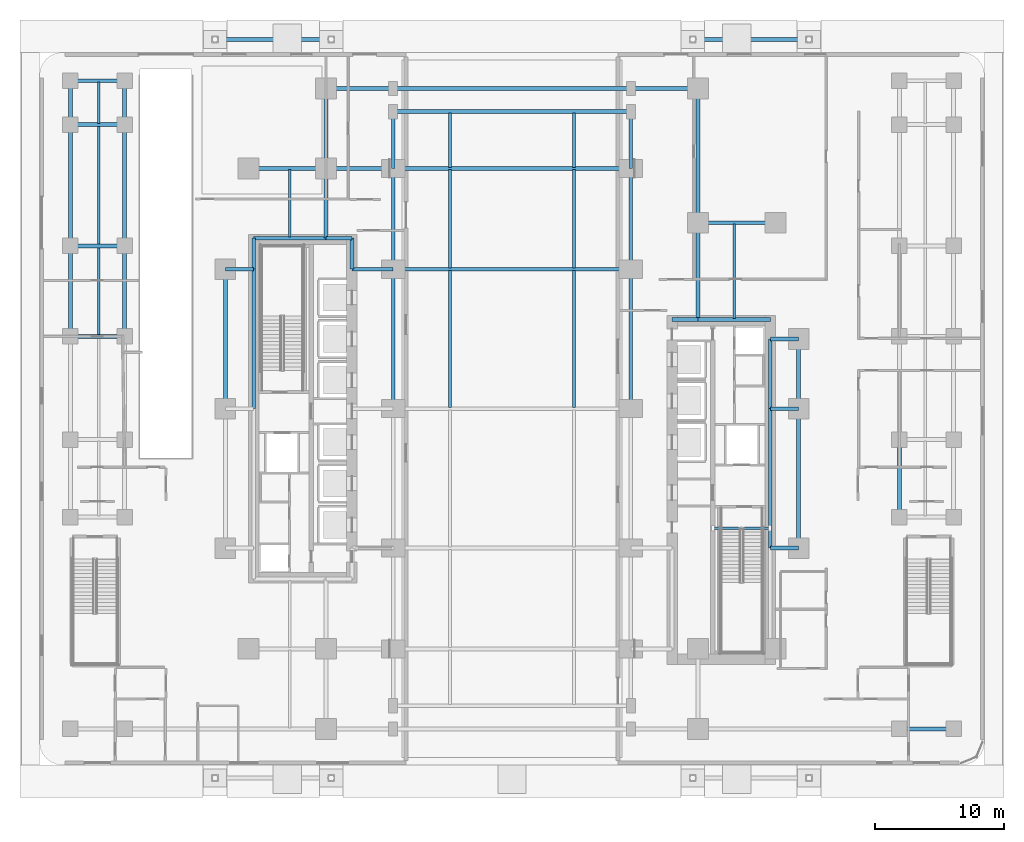
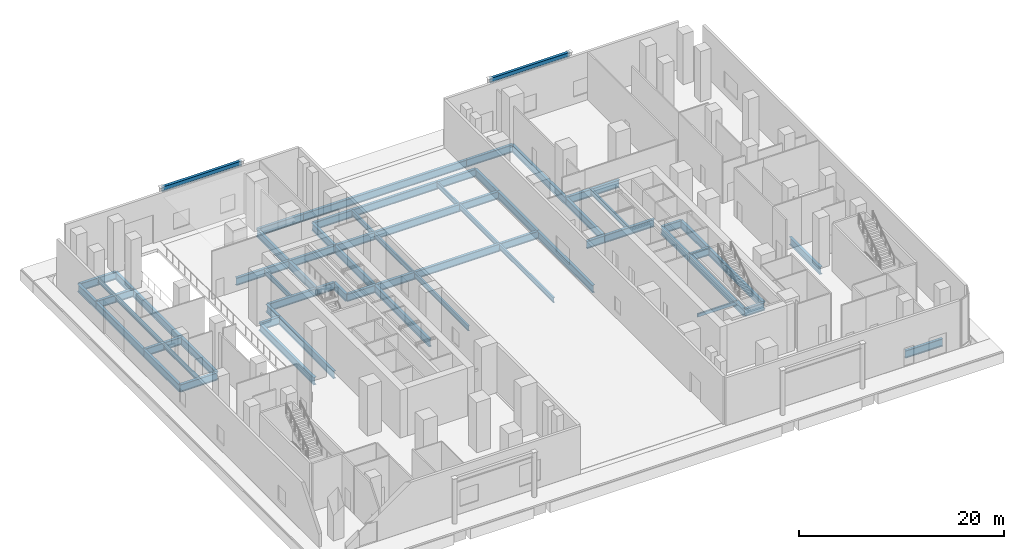
# One storey, part 5 of 22: 62 beams.
"""IFC4 building model written with IfcOpenShell, lengths in metres."""

from ifc_helpers import new_model, si_unit, direction, frame, origin, origin_2d, place, context, subcontext, project, spatial, hollow_rectangle, i_section, extrude, material, material_profile, profile_set, type_object, element, save


model = new_model("IFC4")

# Units and contexts
model_context = context("Model", 3, precision=1e-05, world=origin(), true_north=direction((0.0, 1.0)))
body_context = subcontext(model_context, "Body", "Model", "MODEL_VIEW")
ifc_project = project(units=[si_unit("LENGTHUNIT", "METRE"), si_unit("AREAUNIT", "SQUARE_METRE"), si_unit("VOLUMEUNIT", "CUBIC_METRE"), si_unit("PLANEANGLEUNIT", "RADIAN"), si_unit("MASSUNIT", "GRAM", prefix="KILO")], contexts=[model_context])

# Site, building, storey
site_placement = place(None, origin())
site = spatial("IfcSite", under=ifc_project, at=site_placement, CompositionType="ELEMENT")
building_placement = place(site_placement, origin())
building = spatial("IfcBuilding", under=site, at=building_placement, Name="Khairoan Windgate Tower", CompositionType="ELEMENT")
storey_placement = place(building_placement, origin())
storey = spatial("IfcBuildingStorey", under=building, at=storey_placement, Name="L01", CompositionType="ELEMENT", Elevation=0.0)

# Beams
ifc_material_1 = material(Name="Steel S355", Category="steel")
ifc_material_profile_1 = material_profile(ifc_material_1, i_section(OverallWidth=0.300048828125, OverallDepth=0.89990234375, WebThickness=0.01611328125, FlangeThickness=0.028076171875, FilletRadius=0.028076171875, at=origin_2d()))
ifc_profile_set_1 = profile_set([ifc_material_profile_1], Name="Steel S355")
beam_type_1 = type_object("IfcBeamType", Name="Beam B-G1 H900x300x16x28", PredefinedType="BEAM", material=ifc_profile_set_1)
beam_1_placement = place(storey_placement, frame((30.0, -24.800048828125, -0.75), z_axis=(1.0, 0.0, 0.0), x_axis=(0.0, 1.0, 0.0)))
element("IfcBeam", 1, at=beam_1_placement, inside=storey, type_object=beam_type_1, Name="L01 E-W Primary Girder 07", PredefinedType="BEAM", context=body_context, shape_type="SweptSolid", body=[
    extrude(i_section(OverallWidth=0.300048828125, OverallDepth=0.89990234375, WebThickness=0.01611328125, FlangeThickness=0.028076171875, FilletRadius=0.028076171875, at=origin_2d()), origin(), (0.0, 0.0, 1.0), 4.199951171875),
])
for number, where, z_axis, x_axis, name in (
    (2, (20.0, -10.800048828125, -0.75), (1.0, 0.0, 0.0), (0.0, 1.0, 0.0), "L01 E-W Primary Girder 19"),
    (3, (20.0, 0.0, -0.75), (1.0, 0.0, 0.0), (0.0, 1.0, 0.0), "L01 E-W Primary Girder 27"),
    (4, (20.0, 5.39990234375, -0.75), (1.0, 0.0, 0.0), (0.0, 1.0, 0.0), "L01 E-W Primary Girder 28"),
):
    element("IfcBeam", number, at=place(storey_placement, frame(where, z_axis=z_axis, x_axis=x_axis)), inside=storey, type_object=beam_type_1, Name=name, PredefinedType="BEAM", context=body_context, shape_type="SweptSolid", body=[
        extrude(i_section(OverallWidth=0.300048828125, OverallDepth=0.89990234375, WebThickness=0.01611328125, FlangeThickness=0.028076171875, FilletRadius=0.028076171875, at=origin_2d()), origin(), (0.0, 0.0, 1.0), 2.199951171875),
    ])
beam_2_placement = place(storey_placement, frame((-34.199951171875, 5.60009765625, -0.75), z_axis=(1.0, 0.0, 0.0), x_axis=(0.0, 1.0, 0.0)))
element("IfcBeam", 5, at=beam_2_placement, inside=storey, type_object=beam_type_1, Name="L01 E-W Primary Girder 29", PredefinedType="BEAM", context=body_context, shape_type="SweptSolid", body=[
    extrude(i_section(OverallWidth=0.300048828125, OverallDepth=0.89990234375, WebThickness=0.01611328125, FlangeThickness=0.028076171875, FilletRadius=0.028076171875, at=origin_2d()), origin(), (0.0, 0.0, 1.0), 4.199951171875),
])
beam_3_placement = place(storey_placement, frame((12.39990234375, 6.89990234375, -0.75), z_axis=(1.0, 0.0, 0.0), x_axis=(0.0, 1.0, 0.0)))
element("IfcBeam", 6, at=beam_3_placement, inside=storey, type_object=beam_type_1, Name="L01 E-W Primary Girder 31", PredefinedType="BEAM", context=body_context, shape_type="SweptSolid", body=[
    extrude(i_section(OverallWidth=0.300048828125, OverallDepth=0.89990234375, WebThickness=0.01611328125, FlangeThickness=0.028076171875, FilletRadius=0.028076171875, at=origin_2d()), origin(), (0.0, 0.0, 1.0), 2.0),
])
beam_4_placement = place(storey_placement, frame((14.39990234375, 6.89990234375, -0.75), z_axis=(1.0, 0.0, 0.0), x_axis=(0.0, 1.0, 0.0)))
element("IfcBeam", 7, at=beam_4_placement, inside=storey, type_object=beam_type_1, Name="L01 E-W Primary Girder 32", PredefinedType="BEAM", context=body_context, shape_type="SweptSolid", body=[
    extrude(i_section(OverallWidth=0.300048828125, OverallDepth=0.89990234375, WebThickness=0.01611328125, FlangeThickness=0.028076171875, FilletRadius=0.028076171875, at=origin_2d()), origin(), (0.0, 0.0, 1.0), 5.60009765625),
])
beam_5_placement = place(storey_placement, frame((-22.199951171875, 10.800048828125, -0.75), z_axis=(1.0, 0.0, 0.0), x_axis=(0.0, 1.0, 0.0)))
element("IfcBeam", 8, at=beam_5_placement, inside=storey, type_object=beam_type_1, Name="L01 E-W Primary Girder 33", PredefinedType="BEAM", context=body_context, shape_type="SweptSolid", body=[
    extrude(i_section(OverallWidth=0.300048828125, OverallDepth=0.89990234375, WebThickness=0.01611328125, FlangeThickness=0.028076171875, FilletRadius=0.028076171875, at=origin_2d()), origin(), (0.0, 0.0, 1.0), 2.199951171875),
])
beam_6_placement = place(storey_placement, frame((-12.39990234375, 10.800048828125, -0.75), z_axis=(1.0, 0.0, 0.0), x_axis=(0.0, 1.0, 0.0)))
element("IfcBeam", 9, at=beam_6_placement, inside=storey, type_object=beam_type_1, Name="L01 E-W Primary Girder 34", PredefinedType="BEAM", context=body_context, shape_type="SweptSolid", body=[
    extrude(i_section(OverallWidth=0.300048828125, OverallDepth=0.89990234375, WebThickness=0.01611328125, FlangeThickness=0.028076171875, FilletRadius=0.028076171875, at=origin_2d()), origin(), (0.0, 0.0, 1.0), 3.199951171875),
])
beam_7_placement = place(storey_placement, frame((-9.199951171875, 10.800048828125, -0.75), z_axis=(1.0, 0.0, 0.0), x_axis=(0.0, 1.0, 0.0)))
element("IfcBeam", 10, at=beam_7_placement, inside=storey, type_object=beam_type_1, Name="L01 E-W Primary Girder 35", PredefinedType="BEAM", context=body_context, shape_type="SweptSolid", body=[
    extrude(i_section(OverallWidth=0.300048828125, OverallDepth=0.89990234375, WebThickness=0.01611328125, FlangeThickness=0.028076171875, FilletRadius=0.028076171875, at=origin_2d()), origin(), (0.0, 0.0, 1.0), 18.39990234375),
])
beam_8_placement = place(storey_placement, frame((-34.199951171875, 12.60009765625, -0.75), z_axis=(1.0, 0.0, 0.0), x_axis=(0.0, 1.0, 0.0)))
element("IfcBeam", 11, at=beam_8_placement, inside=storey, type_object=beam_type_1, Name="L01 E-W Primary Girder 36", PredefinedType="BEAM", context=body_context, shape_type="SweptSolid", body=[
    extrude(i_section(OverallWidth=0.300048828125, OverallDepth=0.89990234375, WebThickness=0.01611328125, FlangeThickness=0.028076171875, FilletRadius=0.028076171875, at=origin_2d()), origin(), (0.0, 0.0, 1.0), 4.199951171875),
])
beam_9_placement = place(storey_placement, frame((-20.0, 13.199951171875, -0.75), z_axis=(1.0, 0.0, 0.0), x_axis=(0.0, 1.0, 0.0)))
element("IfcBeam", 12, at=beam_9_placement, inside=storey, type_object=beam_type_1, Name="L01 E-W Primary Girder 38", PredefinedType="BEAM", context=body_context, shape_type="SweptSolid", body=[
    extrude(i_section(OverallWidth=0.300048828125, OverallDepth=0.89990234375, WebThickness=0.01611328125, FlangeThickness=0.028076171875, FilletRadius=0.028076171875, at=origin_2d()), origin(), (0.0, 0.0, 1.0), 5.60009765625),
])
beam_10_placement = place(storey_placement, frame((-14.39990234375, 13.199951171875, -0.75), z_axis=(1.0, 0.0, 0.0), x_axis=(0.0, 1.0, 0.0)))
element("IfcBeam", 13, at=beam_10_placement, inside=storey, type_object=beam_type_1, Name="L01 E-W Primary Girder 39", PredefinedType="BEAM", context=body_context, shape_type="SweptSolid", body=[
    extrude(i_section(OverallWidth=0.300048828125, OverallDepth=0.89990234375, WebThickness=0.01611328125, FlangeThickness=0.028076171875, FilletRadius=0.028076171875, at=origin_2d()), origin(), (0.0, 0.0, 1.0), 2.0),
])
for number, where, z_axis, x_axis, name in (
    (14, (14.39990234375, 14.39990234375, -0.75), (1.0, 0.0, 0.0), (0.0, 1.0, 0.0), "L01 E-W Primary Girder 40"),
    (15, (-20.39990234375, 18.60009765625, -0.75), (1.0, 0.0, 0.0), (0.0, 1.0, 0.0), "L01 E-W Primary Girder 41"),
):
    element("IfcBeam", number, at=place(storey_placement, frame(where, z_axis=z_axis, x_axis=x_axis)), inside=storey, type_object=beam_type_1, Name=name, PredefinedType="BEAM", context=body_context, shape_type="SweptSolid", body=[
        extrude(i_section(OverallWidth=0.300048828125, OverallDepth=0.89990234375, WebThickness=0.01611328125, FlangeThickness=0.028076171875, FilletRadius=0.028076171875, at=origin_2d()), origin(), (0.0, 0.0, 1.0), 6.0),
    ])
beam_11_placement = place(storey_placement, frame((-14.39990234375, 18.60009765625, -0.75), z_axis=(1.0, 0.0, 0.0), x_axis=(0.0, 1.0, 0.0)))
element("IfcBeam", 16, at=beam_11_placement, inside=storey, type_object=beam_type_1, Name="L01 E-W Primary Girder 42", PredefinedType="BEAM", context=body_context, shape_type="SweptSolid", body=[
    extrude(i_section(OverallWidth=0.300048828125, OverallDepth=0.89990234375, WebThickness=0.01611328125, FlangeThickness=0.028076171875, FilletRadius=0.028076171875, at=origin_2d()), origin(), (0.0, 0.0, 1.0), 5.199951171875),
])
beam_12_placement = place(storey_placement, frame((-9.199951171875, 18.60009765625, -0.75), z_axis=(1.0, 0.0, 0.0), x_axis=(0.0, 1.0, 0.0)))
element("IfcBeam", 17, at=beam_12_placement, inside=storey, type_object=beam_type_1, Name="L01 E-W Primary Girder 43", PredefinedType="BEAM", context=body_context, shape_type="SweptSolid", body=[
    extrude(i_section(OverallWidth=0.300048828125, OverallDepth=0.89990234375, WebThickness=0.01611328125, FlangeThickness=0.028076171875, FilletRadius=0.028076171875, at=origin_2d()), origin(), (0.0, 0.0, 1.0), 18.39990234375),
])
beam_13_placement = place(storey_placement, frame((-34.199951171875, 22.0, -0.75), z_axis=(1.0, 0.0, 0.0), x_axis=(0.0, 1.0, 0.0)))
element("IfcBeam", 18, at=beam_13_placement, inside=storey, type_object=beam_type_1, Name="L01 E-W Primary Girder 44", PredefinedType="BEAM", context=body_context, shape_type="SweptSolid", body=[
    extrude(i_section(OverallWidth=0.300048828125, OverallDepth=0.89990234375, WebThickness=0.01611328125, FlangeThickness=0.028076171875, FilletRadius=0.028076171875, at=origin_2d()), origin(), (0.0, 0.0, 1.0), 4.199951171875),
])
beam_14_placement = place(storey_placement, frame((-9.199951171875, 23.0, -0.75), z_axis=(1.0, 0.0, 0.0), x_axis=(0.0, 1.0, 0.0)))
element("IfcBeam", 19, at=beam_14_placement, inside=storey, type_object=beam_type_1, Name="L01 E-W Primary Girder 46", PredefinedType="BEAM", context=body_context, shape_type="SweptSolid", body=[
    extrude(i_section(OverallWidth=0.300048828125, OverallDepth=0.89990234375, WebThickness=0.01611328125, FlangeThickness=0.028076171875, FilletRadius=0.028076171875, at=origin_2d()), origin(), (0.0, 0.0, 1.0), 18.39990234375),
])
beam_15_placement = place(storey_placement, frame((-14.39990234375, 24.800048828125, -0.75), z_axis=(1.0, 0.0, 0.0), x_axis=(0.0, 1.0, 0.0)))
element("IfcBeam", 20, at=beam_15_placement, inside=storey, type_object=beam_type_1, Name="L01 E-W Primary Girder 47", PredefinedType="BEAM", context=body_context, shape_type="SweptSolid", body=[
    extrude(i_section(OverallWidth=0.300048828125, OverallDepth=0.89990234375, WebThickness=0.01611328125, FlangeThickness=0.028076171875, FilletRadius=0.028076171875, at=origin_2d()), origin(), (0.0, 0.0, 1.0), 5.199951171875),
])
beam_16_placement = place(storey_placement, frame((-9.199951171875, 24.800048828125, -0.75), z_axis=(1.0, 0.0, 0.0), x_axis=(0.0, 1.0, 0.0)))
element("IfcBeam", 21, at=beam_16_placement, inside=storey, type_object=beam_type_1, Name="L01 E-W Primary Girder 48", PredefinedType="BEAM", context=body_context, shape_type="SweptSolid", body=[
    extrude(i_section(OverallWidth=0.300048828125, OverallDepth=0.89990234375, WebThickness=0.01611328125, FlangeThickness=0.028076171875, FilletRadius=0.028076171875, at=origin_2d()), origin(), (0.0, 0.0, 1.0), 18.39990234375),
])
beam_17_placement = place(storey_placement, frame((9.199951171875, 24.800048828125, -0.75), z_axis=(1.0, 0.0, 0.0), x_axis=(0.0, 1.0, 0.0)))
element("IfcBeam", 22, at=beam_17_placement, inside=storey, type_object=beam_type_1, Name="L01 E-W Primary Girder 49", PredefinedType="BEAM", context=body_context, shape_type="SweptSolid", body=[
    extrude(i_section(OverallWidth=0.300048828125, OverallDepth=0.89990234375, WebThickness=0.01611328125, FlangeThickness=0.028076171875, FilletRadius=0.028076171875, at=origin_2d()), origin(), (0.0, 0.0, 1.0), 5.199951171875),
])
beam_18_placement = place(storey_placement, frame((-34.199951171875, 25.39990234375, -0.75), z_axis=(1.0, 0.0, 0.0), x_axis=(0.0, 1.0, 0.0)))
element("IfcBeam", 23, at=beam_18_placement, inside=storey, type_object=beam_type_1, Name="L01 E-W Primary Girder 50", PredefinedType="BEAM", context=body_context, shape_type="SweptSolid", body=[
    extrude(i_section(OverallWidth=0.300048828125, OverallDepth=0.89990234375, WebThickness=0.01611328125, FlangeThickness=0.028076171875, FilletRadius=0.028076171875, at=origin_2d()), origin(), (0.0, 0.0, 1.0), 4.199951171875),
])
beam_19_placement = place(storey_placement, frame((-34.199951171875, 5.60009765625, -0.75), z_axis=(0.0, 1.0, 0.0), x_axis=(-1.0, 0.0, 0.0)))
element("IfcBeam", 24, at=beam_19_placement, inside=storey, type_object=beam_type_1, Name="L01 N-S Primary Beam 54", PredefinedType="BEAM", context=body_context, shape_type="SweptSolid", body=[
    extrude(i_section(OverallWidth=0.300048828125, OverallDepth=0.89990234375, WebThickness=0.01611328125, FlangeThickness=0.028076171875, FilletRadius=0.028076171875, at=origin_2d()), origin(), (0.0, 0.0, 1.0), 7.0),
])
beam_20_placement = place(storey_placement, frame((-34.199951171875, 12.60009765625, -0.75), z_axis=(0.0, 1.0, 0.0), x_axis=(-1.0, 0.0, 0.0)))
element("IfcBeam", 25, at=beam_20_placement, inside=storey, type_object=beam_type_1, Name="L01 N-S Primary Beam 55", PredefinedType="BEAM", context=body_context, shape_type="SweptSolid", body=[
    extrude(i_section(OverallWidth=0.300048828125, OverallDepth=0.89990234375, WebThickness=0.01611328125, FlangeThickness=0.028076171875, FilletRadius=0.028076171875, at=origin_2d()), origin(), (0.0, 0.0, 1.0), 9.39990234375),
])
beam_21_placement = place(storey_placement, frame((-34.199951171875, 22.0, -0.75), z_axis=(0.0, 1.0, 0.0), x_axis=(-1.0, 0.0, 0.0)))
element("IfcBeam", 26, at=beam_21_placement, inside=storey, type_object=beam_type_1, Name="L01 N-S Primary Beam 56", PredefinedType="BEAM", context=body_context, shape_type="SweptSolid", body=[
    extrude(i_section(OverallWidth=0.300048828125, OverallDepth=0.89990234375, WebThickness=0.01611328125, FlangeThickness=0.028076171875, FilletRadius=0.028076171875, at=origin_2d()), origin(), (0.0, 0.0, 1.0), 3.39990234375),
])
beam_22_placement = place(storey_placement, frame((-30.0, 5.60009765625, -0.75), z_axis=(0.0, 1.0, 0.0), x_axis=(-1.0, 0.0, 0.0)))
element("IfcBeam", 27, at=beam_22_placement, inside=storey, type_object=beam_type_1, Name="L01 N-S Primary Beam 59", PredefinedType="BEAM", context=body_context, shape_type="SweptSolid", body=[
    extrude(i_section(OverallWidth=0.300048828125, OverallDepth=0.89990234375, WebThickness=0.01611328125, FlangeThickness=0.028076171875, FilletRadius=0.028076171875, at=origin_2d()), origin(), (0.0, 0.0, 1.0), 7.0),
])
beam_23_placement = place(storey_placement, frame((-30.0, 12.60009765625, -0.75), z_axis=(0.0, 1.0, 0.0), x_axis=(-1.0, 0.0, 0.0)))
element("IfcBeam", 28, at=beam_23_placement, inside=storey, type_object=beam_type_1, Name="L01 N-S Primary Beam 60", PredefinedType="BEAM", context=body_context, shape_type="SweptSolid", body=[
    extrude(i_section(OverallWidth=0.300048828125, OverallDepth=0.89990234375, WebThickness=0.01611328125, FlangeThickness=0.028076171875, FilletRadius=0.028076171875, at=origin_2d()), origin(), (0.0, 0.0, 1.0), 9.39990234375),
])
beam_24_placement = place(storey_placement, frame((-30.0, 22.0, -0.75), z_axis=(0.0, 1.0, 0.0), x_axis=(-1.0, 0.0, 0.0)))
element("IfcBeam", 29, at=beam_24_placement, inside=storey, type_object=beam_type_1, Name="L01 N-S Primary Beam 61", PredefinedType="BEAM", context=body_context, shape_type="SweptSolid", body=[
    extrude(i_section(OverallWidth=0.300048828125, OverallDepth=0.89990234375, WebThickness=0.01611328125, FlangeThickness=0.028076171875, FilletRadius=0.028076171875, at=origin_2d()), origin(), (0.0, 0.0, 1.0), 3.39990234375),
])
for number, where, z_axis, x_axis, name in (
    (30, (-22.199951171875, 0.0, -0.75), (0.0, 1.0, 0.0), (-1.0, 0.0, 0.0), "L01 N-S Primary Beam 63"),
    (31, (-20.0, 0.0, -0.75), (0.0, 1.0, 0.0), (-1.0, 0.0, 0.0), "L01 N-S Primary Beam 66"),
):
    element("IfcBeam", number, at=place(storey_placement, frame(where, z_axis=z_axis, x_axis=x_axis)), inside=storey, type_object=beam_type_1, Name=name, PredefinedType="BEAM", context=body_context, shape_type="SweptSolid", body=[
        extrude(i_section(OverallWidth=0.300048828125, OverallDepth=0.89990234375, WebThickness=0.01611328125, FlangeThickness=0.028076171875, FilletRadius=0.028076171875, at=origin_2d()), origin(), (0.0, 0.0, 1.0), 10.800048828125),
    ])
beam_25_placement = place(storey_placement, frame((-20.0, 10.800048828125, -0.75), z_axis=(0.0, 1.0, 0.0), x_axis=(-1.0, 0.0, 0.0)))
element("IfcBeam", 32, at=beam_25_placement, inside=storey, type_object=beam_type_1, Name="L01 N-S Primary Beam 67", PredefinedType="BEAM", context=body_context, shape_type="SweptSolid", body=[
    extrude(i_section(OverallWidth=0.300048828125, OverallDepth=0.89990234375, WebThickness=0.01611328125, FlangeThickness=0.028076171875, FilletRadius=0.028076171875, at=origin_2d()), origin(), (0.0, 0.0, 1.0), 2.39990234375),
])
beam_26_placement = place(storey_placement, frame((-14.39990234375, 13.199951171875, -0.75), z_axis=(0.0, 1.0, 0.0), x_axis=(-1.0, 0.0, 0.0)))
element("IfcBeam", 33, at=beam_26_placement, inside=storey, type_object=beam_type_1, Name="L01 N-S Primary Beam 70", PredefinedType="BEAM", context=body_context, shape_type="SweptSolid", body=[
    extrude(i_section(OverallWidth=0.300048828125, OverallDepth=0.89990234375, WebThickness=0.01611328125, FlangeThickness=0.028076171875, FilletRadius=0.028076171875, at=origin_2d()), origin(), (0.0, 0.0, 1.0), 5.400146484375),
])
beam_27_placement = place(storey_placement, frame((-14.39990234375, 18.60009765625, -0.75), z_axis=(0.0, 1.0, 0.0), x_axis=(-1.0, 0.0, 0.0)))
element("IfcBeam", 34, at=beam_27_placement, inside=storey, type_object=beam_type_1, Name="L01 N-S Primary Beam 71", PredefinedType="BEAM", context=body_context, shape_type="SweptSolid", body=[
    extrude(i_section(OverallWidth=0.300048828125, OverallDepth=0.89990234375, WebThickness=0.01611328125, FlangeThickness=0.028076171875, FilletRadius=0.028076171875, at=origin_2d()), origin(), (0.0, 0.0, 1.0), 6.199951171875),
])
beam_28_placement = place(storey_placement, frame((-12.39990234375, 10.800048828125, -0.75), z_axis=(0.0, 1.0, 0.0), x_axis=(-1.0, 0.0, 0.0)))
element("IfcBeam", 35, at=beam_28_placement, inside=storey, type_object=beam_type_1, Name="L01 N-S Primary Beam 73", PredefinedType="BEAM", context=body_context, shape_type="SweptSolid", body=[
    extrude(i_section(OverallWidth=0.300048828125, OverallDepth=0.89990234375, WebThickness=0.01611328125, FlangeThickness=0.028076171875, FilletRadius=0.028076171875, at=origin_2d()), origin(), (0.0, 0.0, 1.0), 2.39990234375),
])
beam_29_placement = place(storey_placement, frame((-9.199951171875, 0.0, -0.75), z_axis=(0.0, 1.0, 0.0), x_axis=(-1.0, 0.0, 0.0)))
element("IfcBeam", 36, at=beam_29_placement, inside=storey, type_object=beam_type_1, Name="L01 N-S Primary Beam 77", PredefinedType="BEAM", context=body_context, shape_type="SweptSolid", body=[
    extrude(i_section(OverallWidth=0.300048828125, OverallDepth=0.89990234375, WebThickness=0.01611328125, FlangeThickness=0.028076171875, FilletRadius=0.028076171875, at=origin_2d()), origin(), (0.0, 0.0, 1.0), 10.800048828125),
])
beam_30_placement = place(storey_placement, frame((-9.199951171875, 10.800048828125, -0.75), z_axis=(0.0, 1.0, 0.0), x_axis=(-1.0, 0.0, 0.0)))
element("IfcBeam", 37, at=beam_30_placement, inside=storey, type_object=beam_type_1, Name="L01 N-S Primary Beam 78", PredefinedType="BEAM", context=body_context, shape_type="SweptSolid", body=[
    extrude(i_section(OverallWidth=0.300048828125, OverallDepth=0.89990234375, WebThickness=0.01611328125, FlangeThickness=0.028076171875, FilletRadius=0.028076171875, at=origin_2d()), origin(), (0.0, 0.0, 1.0), 7.800048828125),
])
beam_31_placement = place(storey_placement, frame((-9.199951171875, 18.60009765625, -0.75), z_axis=(0.0, 1.0, 0.0), x_axis=(-1.0, 0.0, 0.0)))
element("IfcBeam", 38, at=beam_31_placement, inside=storey, type_object=beam_type_1, Name="L01 N-S Primary Beam 79", PredefinedType="BEAM", context=body_context, shape_type="SweptSolid", body=[
    extrude(i_section(OverallWidth=0.300048828125, OverallDepth=0.89990234375, WebThickness=0.01611328125, FlangeThickness=0.028076171875, FilletRadius=0.028076171875, at=origin_2d()), origin(), (0.0, 0.0, 1.0), 4.39990234375),
])
beam_32_placement = place(storey_placement, frame((9.199951171875, 0.0, -0.75), z_axis=(0.0, 1.0, 0.0), x_axis=(-1.0, 0.0, 0.0)))
element("IfcBeam", 39, at=beam_32_placement, inside=storey, type_object=beam_type_1, Name="L01 N-S Primary Beam 83", PredefinedType="BEAM", context=body_context, shape_type="SweptSolid", body=[
    extrude(i_section(OverallWidth=0.300048828125, OverallDepth=0.89990234375, WebThickness=0.01611328125, FlangeThickness=0.028076171875, FilletRadius=0.028076171875, at=origin_2d()), origin(), (0.0, 0.0, 1.0), 10.800048828125),
])
beam_33_placement = place(storey_placement, frame((9.199951171875, 10.800048828125, -0.75), z_axis=(0.0, 1.0, 0.0), x_axis=(-1.0, 0.0, 0.0)))
element("IfcBeam", 40, at=beam_33_placement, inside=storey, type_object=beam_type_1, Name="L01 N-S Primary Beam 84", PredefinedType="BEAM", context=body_context, shape_type="SweptSolid", body=[
    extrude(i_section(OverallWidth=0.300048828125, OverallDepth=0.89990234375, WebThickness=0.01611328125, FlangeThickness=0.028076171875, FilletRadius=0.028076171875, at=origin_2d()), origin(), (0.0, 0.0, 1.0), 7.800048828125),
])
beam_34_placement = place(storey_placement, frame((9.199951171875, 18.60009765625, -0.75), z_axis=(0.0, 1.0, 0.0), x_axis=(-1.0, 0.0, 0.0)))
element("IfcBeam", 41, at=beam_34_placement, inside=storey, type_object=beam_type_1, Name="L01 N-S Primary Beam 85", PredefinedType="BEAM", context=body_context, shape_type="SweptSolid", body=[
    extrude(i_section(OverallWidth=0.300048828125, OverallDepth=0.89990234375, WebThickness=0.01611328125, FlangeThickness=0.028076171875, FilletRadius=0.028076171875, at=origin_2d()), origin(), (0.0, 0.0, 1.0), 4.39990234375),
])
beam_35_placement = place(storey_placement, frame((14.39990234375, 6.89990234375, -0.75), z_axis=(0.0, 1.0, 0.0), x_axis=(-1.0, 0.0, 0.0)))
element("IfcBeam", 42, at=beam_35_placement, inside=storey, type_object=beam_type_1, Name="L01 N-S Primary Beam 88", PredefinedType="BEAM", context=body_context, shape_type="SweptSolid", body=[
    extrude(i_section(OverallWidth=0.300048828125, OverallDepth=0.89990234375, WebThickness=0.01611328125, FlangeThickness=0.028076171875, FilletRadius=0.028076171875, at=origin_2d()), origin(), (0.0, 0.0, 1.0), 7.5),
])
beam_36_placement = place(storey_placement, frame((14.39990234375, 14.39990234375, -0.75), z_axis=(0.0, 1.0, 0.0), x_axis=(-1.0, 0.0, 0.0)))
element("IfcBeam", 43, at=beam_36_placement, inside=storey, type_object=beam_type_1, Name="L01 N-S Primary Beam 89", PredefinedType="BEAM", context=body_context, shape_type="SweptSolid", body=[
    extrude(i_section(OverallWidth=0.300048828125, OverallDepth=0.89990234375, WebThickness=0.01611328125, FlangeThickness=0.028076171875, FilletRadius=0.028076171875, at=origin_2d()), origin(), (0.0, 0.0, 1.0), 10.400146484375),
])
beam_37_placement = place(storey_placement, frame((20.0, -10.800048828125, -0.75), z_axis=(0.0, 1.0, 0.0), x_axis=(-1.0, 0.0, 0.0)))
element("IfcBeam", 44, at=beam_37_placement, inside=storey, type_object=beam_type_1, Name="L01 N-S Primary Beam 91", PredefinedType="BEAM", context=body_context, shape_type="SweptSolid", body=[
    extrude(i_section(OverallWidth=0.300048828125, OverallDepth=0.89990234375, WebThickness=0.01611328125, FlangeThickness=0.028076171875, FilletRadius=0.028076171875, at=origin_2d()), origin(), (0.0, 0.0, 1.0), 10.800048828125),
])
beam_38_placement = place(storey_placement, frame((20.0, 0.0, -0.75), z_axis=(0.0, 1.0, 0.0), x_axis=(-1.0, 0.0, 0.0)))
element("IfcBeam", 45, at=beam_38_placement, inside=storey, type_object=beam_type_1, Name="L01 N-S Primary Beam 92", PredefinedType="BEAM", context=body_context, shape_type="SweptSolid", body=[
    extrude(i_section(OverallWidth=0.300048828125, OverallDepth=0.89990234375, WebThickness=0.01611328125, FlangeThickness=0.028076171875, FilletRadius=0.028076171875, at=origin_2d()), origin(), (0.0, 0.0, 1.0), 5.39990234375),
])
beam_39_placement = place(storey_placement, frame((22.199951171875, -10.800048828125, -0.75), z_axis=(0.0, 1.0, 0.0), x_axis=(-1.0, 0.0, 0.0)))
element("IfcBeam", 46, at=beam_39_placement, inside=storey, type_object=beam_type_1, Name="L01 N-S Primary Beam 93", PredefinedType="BEAM", context=body_context, shape_type="SweptSolid", body=[
    extrude(i_section(OverallWidth=0.300048828125, OverallDepth=0.89990234375, WebThickness=0.01611328125, FlangeThickness=0.028076171875, FilletRadius=0.028076171875, at=origin_2d()), origin(), (0.0, 0.0, 1.0), 10.800048828125),
])
beam_40_placement = place(storey_placement, frame((22.199951171875, 0.0, -0.75), z_axis=(0.0, 1.0, 0.0), x_axis=(-1.0, 0.0, 0.0)))
element("IfcBeam", 47, at=beam_40_placement, inside=storey, type_object=beam_type_1, Name="L01 N-S Primary Beam 94", PredefinedType="BEAM", context=body_context, shape_type="SweptSolid", body=[
    extrude(i_section(OverallWidth=0.300048828125, OverallDepth=0.89990234375, WebThickness=0.01611328125, FlangeThickness=0.028076171875, FilletRadius=0.028076171875, at=origin_2d()), origin(), (0.0, 0.0, 1.0), 5.39990234375),
])
beam_41_placement = place(storey_placement, frame((30.0, -8.39990234375, -0.75), z_axis=(0.0, 1.0, 0.0), x_axis=(-1.0, 0.0, 0.0)))
element("IfcBeam", 48, at=beam_41_placement, inside=storey, type_object=beam_type_1, Name="L01 N-S Primary Beam 95", PredefinedType="BEAM", context=body_context, shape_type="SweptSolid", body=[
    extrude(i_section(OverallWidth=0.300048828125, OverallDepth=0.89990234375, WebThickness=0.01611328125, FlangeThickness=0.028076171875, FilletRadius=0.028076171875, at=origin_2d()), origin(), (0.0, 0.0, 1.0), 6.0),
])
ifc_material_2 = material(Name="Steel S355", Category="steel")
ifc_material_profile_2 = material_profile(ifc_material_2, i_section(OverallWidth=0.300048828125, OverallDepth=0.587890625, WebThickness=0.011962890625, FlangeThickness=0.02001953125, FilletRadius=0.02392578125, at=origin_2d()))
ifc_profile_set_2 = profile_set([ifc_material_profile_2], Name="Steel S355")
beam_type_2 = type_object("IfcBeamType", Name="Beam B-G4 H588x300x12x20", PredefinedType="BEAM", material=ifc_profile_set_2)
for number, where, z_axis, x_axis, name in (
    (49, (-23.0, 28.60009765625, 5.10595703125), (1.0, 0.0, 0.0), (0.0, 1.0, 0.0), "Plaza Canopy Edge Girder N"),
    (50, (14.0, 28.60009765625, 5.10595703125), (1.0, 0.0, 0.0), (0.0, 1.0, 0.0), "Plaza Canopy Edge Girder N"),
):
    element("IfcBeam", number, at=place(storey_placement, frame(where, z_axis=z_axis, x_axis=x_axis)), inside=storey, type_object=beam_type_2, Name=name, PredefinedType="BEAM", context=body_context, shape_type="SweptSolid", body=[
        extrude(i_section(OverallWidth=0.300048828125, OverallDepth=0.587890625, WebThickness=0.011962890625, FlangeThickness=0.02001953125, FilletRadius=0.02392578125, at=origin_2d()), origin(), (0.0, 0.0, 1.0), 9.0),
    ])
ifc_material_3 = material(Name="Steel S355", Category="steel")
ifc_material_profile_3 = material_profile(ifc_material_3, i_section(OverallWidth=0.199951171875, OverallDepth=0.60009765625, WebThickness=0.010986328125, FlangeThickness=0.01708984375, FilletRadius=0.02197265625, at=origin_2d()))
ifc_profile_set_3 = profile_set([ifc_material_profile_3], Name="Steel S355")
beam_type_3 = type_object("IfcBeamType", Name="Beam J-S1 H600x200x11x17", PredefinedType="JOIST", material=ifc_profile_set_3)
beam_42_placement = place(storey_placement, frame((-32.0, 5.68994140625, -0.60009765625), z_axis=(0.0, 1.0, 0.0), x_axis=(-1.0, 0.0, 0.0)))
element("IfcBeam", 51, at=beam_42_placement, inside=storey, type_object=beam_type_3, Name="L01 Secondary Floor Joist 03", PredefinedType="JOIST", context=body_context, shape_type="SweptSolid", body=[
    extrude(i_section(OverallWidth=0.199951171875, OverallDepth=0.60009765625, WebThickness=0.010986328125, FlangeThickness=0.01708984375, FilletRadius=0.02197265625, at=origin_2d()), origin(), (0.0, 0.0, 1.0), 6.820068359375),
])
beam_43_placement = place(storey_placement, frame((-32.0, 12.68994140625, -0.60009765625), z_axis=(0.0, 1.0, 0.0), x_axis=(-1.0, 0.0, 0.0)))
element("IfcBeam", 52, at=beam_43_placement, inside=storey, type_object=beam_type_3, Name="L01 Secondary Floor Joist 04", PredefinedType="JOIST", context=body_context, shape_type="SweptSolid", body=[
    extrude(i_section(OverallWidth=0.199951171875, OverallDepth=0.60009765625, WebThickness=0.010986328125, FlangeThickness=0.01708984375, FilletRadius=0.02197265625, at=origin_2d()), origin(), (0.0, 0.0, 1.0), 9.219970703125),
])
beam_44_placement = place(storey_placement, frame((-32.0, 22.090087890625, -0.60009765625), z_axis=(0.0, 1.0, 0.0), x_axis=(-1.0, 0.0, 0.0)))
element("IfcBeam", 53, at=beam_44_placement, inside=storey, type_object=beam_type_3, Name="L01 Secondary Floor Joist 05", PredefinedType="JOIST", context=body_context, shape_type="SweptSolid", body=[
    extrude(i_section(OverallWidth=0.199951171875, OverallDepth=0.60009765625, WebThickness=0.010986328125, FlangeThickness=0.01708984375, FilletRadius=0.02197265625, at=origin_2d()), origin(), (0.0, 0.0, 1.0), 3.219970703125),
])
beam_45_placement = place(storey_placement, frame((-17.199951171875, 13.2900390625, -0.60009765625), z_axis=(0.0, 1.0, 0.0), x_axis=(-1.0, 0.0, 0.0)))
element("IfcBeam", 54, at=beam_45_placement, inside=storey, type_object=beam_type_3, Name="L01 Secondary Floor Joist 08", PredefinedType="JOIST", context=body_context, shape_type="SweptSolid", body=[
    extrude(i_section(OverallWidth=0.199951171875, OverallDepth=0.60009765625, WebThickness=0.010986328125, FlangeThickness=0.01708984375, FilletRadius=0.02197265625, at=origin_2d()), origin(), (0.0, 0.0, 1.0), 5.219970703125),
])
beam_46_placement = place(storey_placement, frame((-4.800048828125, 0.090087890625, -0.60009765625), z_axis=(0.0, 1.0, 0.0), x_axis=(-1.0, 0.0, 0.0)))
element("IfcBeam", 55, at=beam_46_placement, inside=storey, type_object=beam_type_3, Name="L01 Secondary Floor Joist 12", PredefinedType="JOIST", context=body_context, shape_type="SweptSolid", body=[
    extrude(i_section(OverallWidth=0.199951171875, OverallDepth=0.60009765625, WebThickness=0.010986328125, FlangeThickness=0.01708984375, FilletRadius=0.02197265625, at=origin_2d()), origin(), (0.0, 0.0, 1.0), 10.619873046875),
])
beam_47_placement = place(storey_placement, frame((-4.800048828125, 10.889892578125, -0.60009765625), z_axis=(0.0, 1.0, 0.0), x_axis=(-1.0, 0.0, 0.0)))
element("IfcBeam", 56, at=beam_47_placement, inside=storey, type_object=beam_type_3, Name="L01 Secondary Floor Joist 13", PredefinedType="JOIST", context=body_context, shape_type="SweptSolid", body=[
    extrude(i_section(OverallWidth=0.199951171875, OverallDepth=0.60009765625, WebThickness=0.010986328125, FlangeThickness=0.01708984375, FilletRadius=0.02197265625, at=origin_2d()), origin(), (0.0, 0.0, 1.0), 7.6201171875),
])
beam_48_placement = place(storey_placement, frame((-4.800048828125, 18.68994140625, -0.60009765625), z_axis=(0.0, 1.0, 0.0), x_axis=(-1.0, 0.0, 0.0)))
element("IfcBeam", 57, at=beam_48_placement, inside=storey, type_object=beam_type_3, Name="L01 Secondary Floor Joist 14", PredefinedType="JOIST", context=body_context, shape_type="SweptSolid", body=[
    extrude(i_section(OverallWidth=0.199951171875, OverallDepth=0.60009765625, WebThickness=0.010986328125, FlangeThickness=0.01708984375, FilletRadius=0.02197265625, at=origin_2d()), origin(), (0.0, 0.0, 1.0), 4.219970703125),
])
beam_49_placement = place(storey_placement, frame((4.800048828125, 0.090087890625, -0.60009765625), z_axis=(0.0, 1.0, 0.0), x_axis=(-1.0, 0.0, 0.0)))
element("IfcBeam", 58, at=beam_49_placement, inside=storey, type_object=beam_type_3, Name="L01 Secondary Floor Joist 18", PredefinedType="JOIST", context=body_context, shape_type="SweptSolid", body=[
    extrude(i_section(OverallWidth=0.199951171875, OverallDepth=0.60009765625, WebThickness=0.010986328125, FlangeThickness=0.01708984375, FilletRadius=0.02197265625, at=origin_2d()), origin(), (0.0, 0.0, 1.0), 10.619873046875),
])
beam_50_placement = place(storey_placement, frame((4.800048828125, 10.889892578125, -0.60009765625), z_axis=(0.0, 1.0, 0.0), x_axis=(-1.0, 0.0, 0.0)))
element("IfcBeam", 59, at=beam_50_placement, inside=storey, type_object=beam_type_3, Name="L01 Secondary Floor Joist 19", PredefinedType="JOIST", context=body_context, shape_type="SweptSolid", body=[
    extrude(i_section(OverallWidth=0.199951171875, OverallDepth=0.60009765625, WebThickness=0.010986328125, FlangeThickness=0.01708984375, FilletRadius=0.02197265625, at=origin_2d()), origin(), (0.0, 0.0, 1.0), 7.6201171875),
])
beam_51_placement = place(storey_placement, frame((4.800048828125, 18.68994140625, -0.60009765625), z_axis=(0.0, 1.0, 0.0), x_axis=(-1.0, 0.0, 0.0)))
element("IfcBeam", 60, at=beam_51_placement, inside=storey, type_object=beam_type_3, Name="L01 Secondary Floor Joist 20", PredefinedType="JOIST", context=body_context, shape_type="SweptSolid", body=[
    extrude(i_section(OverallWidth=0.199951171875, OverallDepth=0.60009765625, WebThickness=0.010986328125, FlangeThickness=0.01708984375, FilletRadius=0.02197265625, at=origin_2d()), origin(), (0.0, 0.0, 1.0), 4.219970703125),
])
beam_52_placement = place(storey_placement, frame((17.199951171875, 6.989990234375, -0.60009765625), z_axis=(0.0, 1.0, 0.0), x_axis=(-1.0, 0.0, 0.0)))
element("IfcBeam", 61, at=beam_52_placement, inside=storey, type_object=beam_type_3, Name="L01 Secondary Floor Joist 21", PredefinedType="JOIST", context=body_context, shape_type="SweptSolid", body=[
    extrude(i_section(OverallWidth=0.199951171875, OverallDepth=0.60009765625, WebThickness=0.010986328125, FlangeThickness=0.01708984375, FilletRadius=0.02197265625, at=origin_2d()), origin(), (0.0, 0.0, 1.0), 7.320068359375),
])
ifc_material_4 = material(Name="Steel S355", Category="steel")
ifc_material_profile_4 = material_profile(ifc_material_4, hollow_rectangle(XDim=0.199951171875, YDim=0.39990234375, WallThickness=0.013916015625, InnerFilletRadius=0.013916015625, OuterFilletRadius=0.028076171875, at=origin_2d()))
ifc_profile_set_4 = profile_set([ifc_material_profile_4], Name="Steel S355")
beam_type_4 = type_object("IfcBeamType", Name="Beam SP-B1 RHS400x200x14", PredefinedType="SPANDREL", material=ifc_profile_set_4)
beam_53_placement = place(storey_placement, frame((15.550048828125, -9.260009765625, -0.5), z_axis=(1.0, 0.0, 0.0), x_axis=(0.0, 1.0, 0.0)))
element("IfcBeam", 62, at=beam_53_placement, inside=storey, type_object=beam_type_4, Name="Stair ST1 Landing Trimmer Beam L01", PredefinedType="SPANDREL", context=body_context, shape_type="SweptSolid", body=[
    extrude(hollow_rectangle(XDim=0.199951171875, YDim=0.39990234375, WallThickness=0.013916015625, InnerFilletRadius=0.013916015625, OuterFilletRadius=0.028076171875, at=origin_2d()), origin(), (0.0, 0.0, 1.0), 4.449951171875),
])

save(model, "model.ifc")
